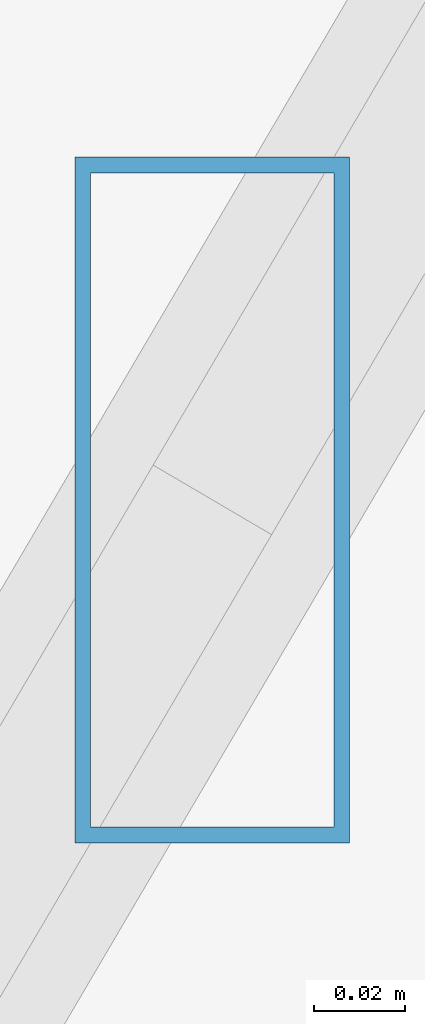
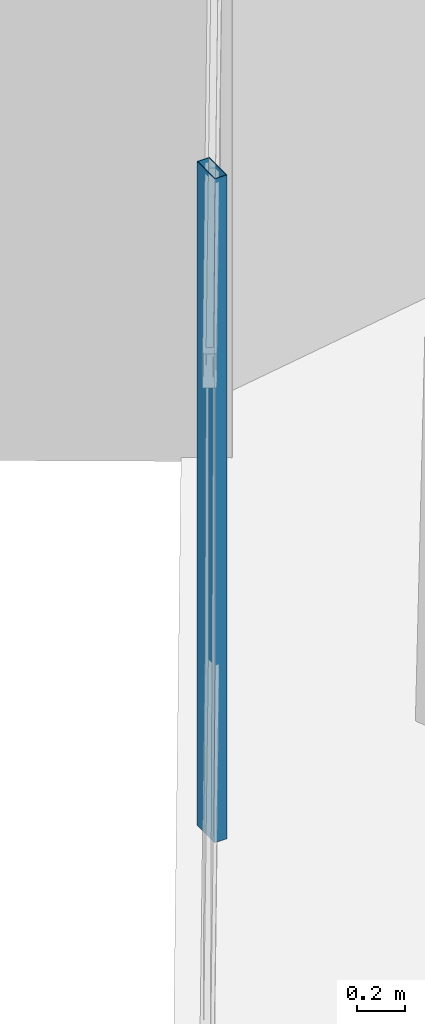
# One storey, part 8 of 42: 1 member, 1 element without a shape of its own.
"""IFC4 building model written with IfcOpenShell, lengths in metres."""

from ifc_helpers import new_model, si_unit, direction, frame, origin, origin_2d, place, context, subcontext, project, spatial, hollow_rectangle, extrude, source, transform, mapped, material, material_profile, profile_set, type_object, type_shapes, element, aggregate, save


model = new_model("IFC4")

# Units and contexts
model_context = context("Model", 3, precision=1e-05, world=origin(), true_north=direction((0.0, 1.0)))
body_context = subcontext(model_context, "Body", "Model", "MODEL_VIEW")
ifc_project = project(units=[si_unit("LENGTHUNIT", "METRE"), si_unit("AREAUNIT", "SQUARE_METRE"), si_unit("VOLUMEUNIT", "CUBIC_METRE"), si_unit("PLANEANGLEUNIT", "RADIAN"), si_unit("MASSUNIT", "GRAM", prefix="KILO")], contexts=[model_context])

# Site, building, storey
site_placement = place(None, origin())
site = spatial("IfcSite", under=ifc_project, at=site_placement, CompositionType="ELEMENT")
building_placement = place(site_placement, origin())
building = spatial("IfcBuilding", under=site, at=building_placement, Name="Caelisora Broadcast Tower", CompositionType="ELEMENT")
storey_placement = place(building_placement, frame((0.0, 0.0, 191.35009765625)))
storey = spatial("IfcBuildingStorey", under=building, at=storey_placement, Name="L50", CompositionType="ELEMENT", Elevation=191.35009765625)

# Curtain wall, member
ifc_material_1 = material(Name="Unitised Aluminium and Low-E Glass Curtain Wall", Category="glass")
curtain_wall_type = type_object("IfcCurtainWallType", Name="CW-Z4", PredefinedType="NOTDEFINED", material=ifc_material_1)
curtain_wall_placement = place(storey_placement, origin())
curtain_wall = element("IfcCurtainWall", 1, at=curtain_wall_placement, inside=storey, type_object=curtain_wall_type, Name="L50 curtain wall CW-Z4", PredefinedType="NOTDEFINED")
ifc_material_2 = material(Name="Aluminium 6063-T6 Anodised Terracotta Bronze", Category="aluminium")
ifc_material_profile = material_profile(ifc_material_2, hollow_rectangle(XDim=0.06005859375, YDim=0.14990234375, WallThickness=0.00341796875, at=origin_2d()), Name="Aluminium 6063-T6 Anodised Terracotta Bronze")
ifc_profile_set = profile_set([ifc_material_profile], Name="Aluminium 6063-T6 Anodised Terracotta Bronze")
member_type = type_object("IfcMemberType", Name="CWM-03", PredefinedType="MULLION", material=ifc_profile_set)
shared_shape = source(origin(), body_context, "Body", "SweptSolid", [
    extrude(hollow_rectangle(XDim=0.06005859375, YDim=0.14990234375, WallThickness=0.00341796875, at=origin_2d()), origin(), (0.0, 0.0, 1.0), 3.39990234375),
])
type_shapes(member_type, [shared_shape])
member_placement = place(storey_placement, frame((14.09130859375, 17.3203125, 0.0), z_axis=(0.0, 0.0, 1.0), x_axis=(1.0, 0.0, 0.0)))
member = element("IfcMember", 2, at=member_placement, type_object=member_type, Name="L50-CW-B09 mullion #1", PredefinedType="MULLION", context=body_context, shape_type="MappedRepresentation", body=[
    mapped(shared_shape, transform((0.0, 0.0, 0.0), scale=1.0)),
])
aggregate(curtain_wall, [member])

save(model, "model.ifc")
